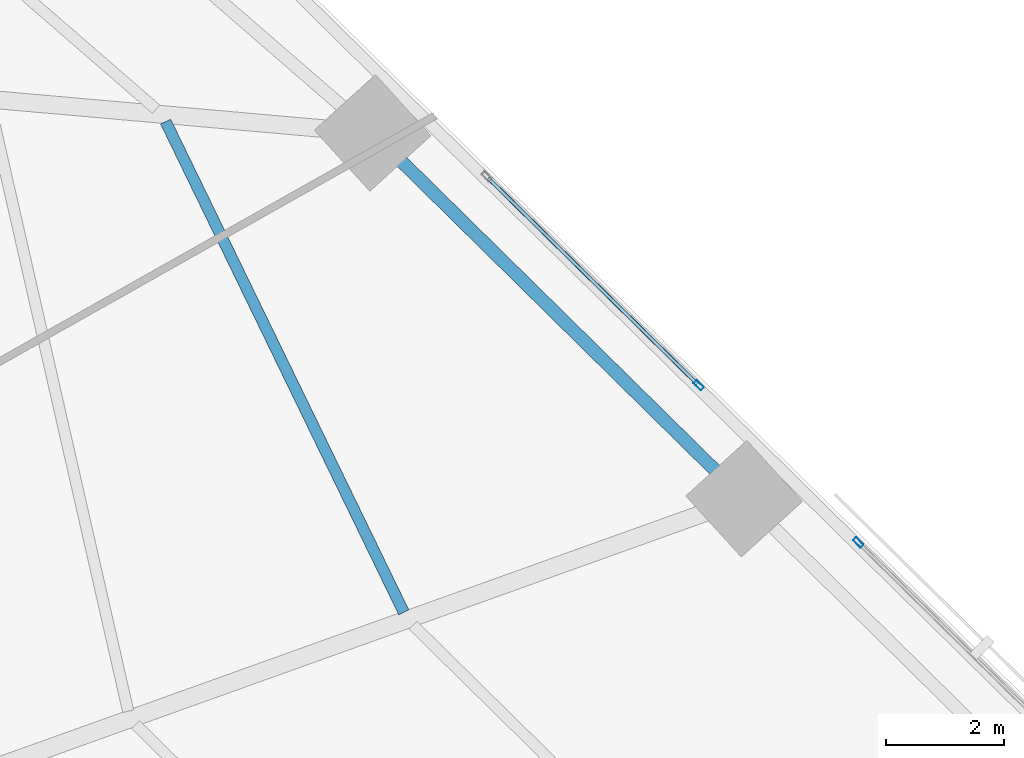
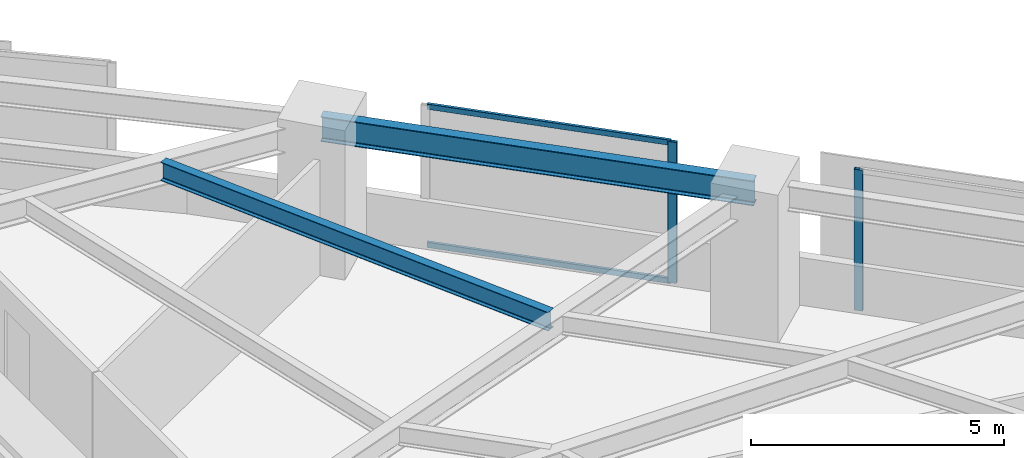
# One storey, part 6 of 17: 4 members, 2 beams, 2 elements without a shape of their own.
"""IFC4 building model written with IfcOpenShell, lengths in metres."""

import ifcopenshell
import ifcopenshell.guid

model = None  # the IFC model being written
_history = None  # IfcOwnerHistory: only IFC2X3 demands one
_inside = {}  # id of a spatial element -> (the spatial element, [elements in it])
_under = {}  # id of a project, library or spatial element -> (it, [spatial elements below it])
_declared = {}  # id of a project -> (the project, [libraries it declares])
_typed = {}  # id of a type object -> (the type object, [elements of that type])
_made_of = {}  # id of a material, layer set ... -> (it, [elements and type objects made of it])


def new_model(schema):
    """Start an empty IFC model of exactly this schema.

    Asked for "IFC4X3", IfcOpenShell would pick the latest addendum, in which some entities
    have other attributes; the version numbers below select the first issue.
    IFC2X3 requires an IfcOwnerHistory on every rooted entity: one is made here for all.
    """
    global model, _history
    if schema == "IFC4X3":
        model = ifcopenshell.file(schema_version=(4, 3, 0, 0))
    else:
        model = ifcopenshell.file(schema=schema)
    _inside.clear()
    _under.clear()
    _declared.clear()
    _typed.clear()
    _made_of.clear()
    _history = None
    if model.schema == "IFC2X3":
        org = make("IfcOrganization", Name="unknown")
        user = make(
            "IfcPersonAndOrganization",
            ThePerson=make("IfcPerson", FamilyName="unknown"),
            TheOrganization=org,
        )
        app = make(
            "IfcApplication",
            ApplicationDeveloper=org,
            Version="unknown",
            ApplicationFullName="unknown",
            ApplicationIdentifier="unknown",
        )
        _history = make(
            "IfcOwnerHistory",
            OwningUser=user,
            OwningApplication=app,
            ChangeAction="ADDED",
            CreationDate=0,
        )
    return model


def make(cls, **values):
    """One entity of the class cls with the attributes given. An attribute that is None is left unset."""
    return model.create_entity(
        cls, **{name: value for name, value in values.items() if value is not None}
    )


def rooted(cls, **values):
    """An entity with a GlobalId (a new one), such as an element, a storey or a relation."""
    return make(cls, GlobalId=ifcopenshell.guid.new(), OwnerHistory=_history, **values)


def si_unit(unit_type, name, prefix=None):
    """IfcSIUnit, for example si_unit("LENGTHUNIT", "METRE", prefix="MILLI")."""
    return make("IfcSIUnit", UnitType=unit_type, Prefix=prefix, Name=name)


def assignment(units):
    """IfcUnitAssignment: the units of a project."""
    return None if units is None else make("IfcUnitAssignment", Units=units)


def point(xyz):
    """IfcCartesianPoint."""
    return None if xyz is None else make("IfcCartesianPoint", Coordinates=xyz)


def direction(xyz):
    """IfcDirection."""
    return None if xyz is None else make("IfcDirection", DirectionRatios=xyz)


def frame(location, z_axis=None, x_axis=None):
    """IfcAxis2Placement3D, a coordinate frame: its origin and axes. An axis left out is left unset."""
    return make(
        "IfcAxis2Placement3D",
        Location=point(location),
        Axis=direction(z_axis),
        RefDirection=direction(x_axis),
    )


def frame_2d(location, x_axis=None):
    """IfcAxis2Placement2D, a coordinate frame in the plane: its origin and x axis."""
    return make(
        "IfcAxis2Placement2D", Location=point(location), RefDirection=direction(x_axis)
    )


def origin():
    """The frame at (0, 0, 0) with its axes left unset."""
    return frame((0.0, 0.0, 0.0))


def origin_2d():
    """The frame at (0, 0) in the plane with its x axis left unset."""
    return frame_2d((0.0, 0.0))


def place(relative_to, where):
    """IfcLocalPlacement: puts the frame where relative to a parent placement (None: the world)."""
    return make(
        "IfcLocalPlacement", PlacementRelTo=relative_to, RelativePlacement=where
    )


def context(
    kind, dimensions, precision=None, world=None, true_north=None, identifier=None
):
    """IfcGeometricRepresentationContext, for example the 3D "Model" context."""
    return make(
        "IfcGeometricRepresentationContext",
        ContextIdentifier=identifier,
        ContextType=kind,
        CoordinateSpaceDimension=dimensions,
        Precision=precision,
        WorldCoordinateSystem=world,
        TrueNorth=true_north,
    )


def subcontext(parent, identifier, kind, view, scale=None):
    """IfcGeometricRepresentationSubContext, for example "Body" below "Model"."""
    return make(
        "IfcGeometricRepresentationSubContext",
        ContextIdentifier=identifier,
        ContextType=kind,
        ParentContext=parent,
        TargetScale=scale,
        TargetView=view,
    )


def project(units=None, contexts=None):
    """IfcProject with its units and contexts."""
    return rooted(
        "IfcProject",
        Name="project",
        RepresentationContexts=contexts,
        UnitsInContext=assignment(units),
    )


def spatial(cls, under=None, at=None, **own):
    """A site, building, storey or space (cls), placed at a placement, below another one or the project."""
    s = rooted(cls, ObjectPlacement=at, **own)
    if under is not None:
        _under.setdefault(under.id(), (under, []))[1].append(s)
    return s


def profile(cls, at=None, kind="AREA", **sizes):
    """A parametric profile (cls). Its sizes go by their IFC names, for example OverallWidth=200.0."""
    return make(cls, ProfileType=kind, Position=at, **sizes)


def hollow_rectangle(**sizes):
    """IfcRectangleHollowProfileDef."""
    return profile("IfcRectangleHollowProfileDef", **sizes)


def i_section(**sizes):
    """IfcIShapeProfileDef."""
    return profile("IfcIShapeProfileDef", **sizes)


def extrude(swept, where, along, depth):
    """IfcExtrudedAreaSolid: the profile swept, set in the frame where, extruded along a direction by depth."""
    return make(
        "IfcExtrudedAreaSolid",
        SweptArea=swept,
        Position=where,
        ExtrudedDirection=direction(along),
        Depth=depth,
    )


def shape(context_of_items, identifier, shape_type, items):
    """IfcShapeRepresentation: the items that make up one representation, for example the "Body"."""
    return make(
        "IfcShapeRepresentation",
        ContextOfItems=context_of_items,
        RepresentationIdentifier=identifier,
        RepresentationType=shape_type,
        Items=items,
    )


def material(Name=None, Category=None):
    """IfcMaterial."""
    return make("IfcMaterial", Name=Name, Category=Category)


def material_profile(
    of_material, cross_section, Name=None, Category=None, Priority=None
):
    """IfcMaterialProfile: a cross section and its material."""
    return make(
        "IfcMaterialProfile",
        Name=Name,
        Material=of_material,
        Profile=cross_section,
        Priority=Priority,
        Category=Category,
    )


def profile_set(profiles, Name=None, composite=None):
    """IfcMaterialProfileSet."""
    return make(
        "IfcMaterialProfileSet",
        Name=Name,
        MaterialProfiles=profiles,
        CompositeProfile=composite,
    )


def made_of(thing, what):
    """Note that an element or type object is made of a material, layer set ...; save() writes the relation."""
    if what is not None:
        _made_of.setdefault(what.id(), (what, []))[1].append(thing)
    return thing


def type_object(cls, material=None, **own):
    """A type object (cls), such as IfcWallType, which elements share."""
    return made_of(rooted(cls, **own), material)


def element(
    cls,
    number,
    at=None,
    inside=None,
    cuts=None,
    type_object=None,
    material=None,
    context=None,
    identifier="Body",
    shape_type=None,
    held_by="IfcProductDefinitionShape",
    body=None,
    shapes=None,
    **own,
):
    """One element of the class cls, such as IfcWall. Its Tag is "e" and its number.

    at: its placement. inside: the storey or other place that contains it. cuts: it is an
    opening in that element (IfcRelVoidsElement). A single representation is given by context,
    identifier, shape_type and body (its items); several are given by shapes. held_by: the class
    of the entity that holds the representations. save() writes the other relations.
    """
    e = rooted(cls, Tag="e%d" % number, ObjectPlacement=at, **own)
    if body is not None:
        shapes = [shape(context, identifier, shape_type, body)]
    if shapes is not None:
        e.Representation = make(held_by, Representations=shapes)
    if inside is not None:
        _inside.setdefault(inside.id(), (inside, []))[1].append(e)
    if cuts is not None:
        rooted(
            "IfcRelVoidsElement", RelatingBuildingElement=cuts, RelatedOpeningElement=e
        )
    if type_object is not None:
        _typed.setdefault(type_object.id(), (type_object, []))[1].append(e)
    return made_of(e, material)


def aggregate(whole, parts):
    """IfcRelAggregates: a whole, such as a stair, and the parts it consists of."""
    return rooted("IfcRelAggregates", RelatingObject=whole, RelatedObjects=parts)


def save(model, path):
    """Write the relations noted so far, then the file.

    IfcRelAggregates (storeys below a building ...), IfcRelContainedInSpatialStructure (elements
    in a storey), IfcRelDefinesByType, IfcRelAssociatesMaterial and IfcRelDeclares: one each for
    every whole, place, type object, material and project.
    """
    for whole, parts in _under.values():
        aggregate(whole, parts)
    for where, things in _inside.values():
        rooted(
            "IfcRelContainedInSpatialStructure",
            RelatedElements=things,
            RelatingStructure=where,
        )
    for kind, things in _typed.values():
        rooted("IfcRelDefinesByType", RelatedObjects=things, RelatingType=kind)
    for what, things in _made_of.values():
        rooted("IfcRelAssociatesMaterial", RelatedObjects=things, RelatingMaterial=what)
    for by, libraries in _declared.values():
        rooted("IfcRelDeclares", RelatingContext=by, RelatedDefinitions=libraries)
    model.write(path)


model = new_model("IFC4")

# Units and contexts
model_context = context("Model", 3, precision=1e-05, world=origin(), true_north=direction((0.0, 1.0)))
body_context = subcontext(model_context, "Body", "Model", "MODEL_VIEW")
ifc_project = project(units=[si_unit("LENGTHUNIT", "METRE"), si_unit("AREAUNIT", "SQUARE_METRE"), si_unit("VOLUMEUNIT", "CUBIC_METRE"), si_unit("PLANEANGLEUNIT", "RADIAN"), si_unit("MASSUNIT", "GRAM", prefix="KILO")], contexts=[model_context])

# Site, building, storey
site_placement = place(None, origin())
site = spatial("IfcSite", under=ifc_project, at=site_placement, CompositionType="ELEMENT")
building_placement = place(site_placement, origin())
building = spatial("IfcBuilding", under=site, at=building_placement, Name="Narakoshi Arena Tower", CompositionType="ELEMENT")
storey_placement = place(building_placement, frame((0.0, 0.0, 37.5)))
storey = spatial("IfcBuildingStorey", under=building, at=storey_placement, Name="L09", CompositionType="ELEMENT", Elevation=37.5)

# Beams
ifc_material_1 = material(Name="Structural steel S355J2", Category="steel")
ifc_material_profile_1 = material_profile(ifc_material_1, i_section(OverallWidth=0.219970703125, OverallDepth=0.60009765625, WebThickness=0.011962890625, FlangeThickness=0.01904296875, FilletRadius=0.02392578125, at=origin_2d()), Name="IPE600")
ifc_profile_set_1 = profile_set([ifc_material_profile_1], Name="Structural steel S355J2")
beam_type_1 = type_object("IfcBeamType", Name="BM-EDGE-600", PredefinedType="BEAM", material=ifc_profile_set_1)
beam_1_placement = place(storey_placement, frame((102.345458984375, 49.373779296875, 3.10009765625), z_axis=(-0.712540689328, 0.70163079041, 0.0), x_axis=(-0.70163079041, -0.712540689328, 0.0)))
element("IfcBeam", 1, at=beam_1_placement, inside=storey, type_object=beam_type_1, Name="L09 Perimeter Edge Girder 07", PredefinedType="BEAM", context=body_context, shape_type="SweptSolid", body=[
    extrude(i_section(OverallWidth=0.219970703125, OverallDepth=0.60009765625, WebThickness=0.011962890625, FlangeThickness=0.01904296875, FilletRadius=0.02392578125, at=origin_2d()), origin(), (0.0, 0.0, 1.0), 8.83935546875),
])
ifc_material_profile_2 = material_profile(ifc_material_1, i_section(OverallWidth=0.18994140625, OverallDepth=0.449951171875, WebThickness=0.009521484375, FlangeThickness=0.0146484375, FilletRadius=0.02099609375, at=origin_2d()), Name="IPE450")
ifc_profile_set_2 = profile_set([ifc_material_profile_2], Name="Structural steel S355J2")
beam_type_2 = type_object("IfcBeamType", Name="BM-SEC-450", PredefinedType="JOIST", material=ifc_profile_set_2)
beam_2_placement = place(storey_placement, frame((96.575927734375, 47.447265625, 3.175048828125), z_axis=(-0.436645839052, 0.89963348717, 0.0), x_axis=(-0.89963348717, -0.436645839052, 0.0)))
element("IfcBeam", 2, at=beam_2_placement, inside=storey, type_object=beam_type_2, Name="L09 Composite Secondary Floor Joist 08", PredefinedType="JOIST", context=body_context, shape_type="SweptSolid", body=[
    extrude(i_section(OverallWidth=0.18994140625, OverallDepth=0.449951171875, WebThickness=0.009521484375, FlangeThickness=0.0146484375, FilletRadius=0.02099609375, at=origin_2d()), origin(), (0.0, 0.0, 1.0), 9.249755859375),
])

# Curtain wall, member
ifc_material_2 = material(Name="Anodised bronze aluminium 6063-T6", Category="aluminium")
curtain_wall_type = type_object("IfcCurtainWallType", Name="CW-HYP-LOW", PredefinedType="NOTDEFINED", material=ifc_material_2)
curtain_wall_1_placement = place(storey_placement, origin())
curtain_wall_1 = element("IfcCurtainWall", 3, at=curtain_wall_1_placement, inside=storey, type_object=curtain_wall_type, Name="L09 Folded Hypotenuse Curtain Wall 1-3", PredefinedType="NOTDEFINED")
ifc_material_profile_3 = material_profile(ifc_material_2, hollow_rectangle(XDim=0.074951171875, YDim=0.179931640625, WallThickness=0.00390625, OuterFilletRadius=0.0048828125, at=origin_2d()), Name="MUL180x75x4")
ifc_profile_set_3 = profile_set([ifc_material_profile_3], Name="Anodised bronze aluminium 6063-T6")
member_type_1 = type_object("IfcMemberType", Name="MEM-MUL-180", PredefinedType="MULLION", material=ifc_profile_set_3)
member_1_placement = place(storey_placement, frame((104.280517578125, 48.63330078125, 0.0), z_axis=(0.0, 0.0, 1.0), x_axis=(-0.701632802488, -0.712538708053, 0.0)))
member_1 = element("IfcMember", 4, at=member_1_placement, type_object=member_type_1, Name="CW-01 mullion 2", PredefinedType="MULLION", context=body_context, shape_type="SweptSolid", body=[
    extrude(hollow_rectangle(XDim=0.074951171875, YDim=0.179931640625, WallThickness=0.00390625, OuterFilletRadius=0.0048828125, at=origin_2d()), origin(), (0.0, 0.0, 1.0), 3.39990234375),
])
aggregate(curtain_wall_1, [member_1])

# Curtain wall, members
curtain_wall_2_placement = place(storey_placement, origin())
curtain_wall_2 = element("IfcCurtainWall", 5, at=curtain_wall_2_placement, inside=storey, type_object=curtain_wall_type, Name="L09 Folded Hypotenuse Curtain Wall 1-4", PredefinedType="NOTDEFINED")
member_2_placement = place(storey_placement, frame((101.574462890625, 51.2978515625, 0.0), z_axis=(0.0, 0.0, 1.0), x_axis=(-0.701632802488, -0.712538708053, 0.0)))
member_2 = element("IfcMember", 6, at=member_2_placement, type_object=member_type_1, Name="CW-01 mullion 1", PredefinedType="MULLION", context=body_context, shape_type="SweptSolid", body=[
    extrude(hollow_rectangle(XDim=0.074951171875, YDim=0.179931640625, WallThickness=0.00390625, OuterFilletRadius=0.0048828125, at=origin_2d()), origin(), (0.0, 0.0, 1.0), 3.39990234375),
])
ifc_material_profile_4 = material_profile(ifc_material_2, hollow_rectangle(XDim=0.06494140625, YDim=0.1298828125, WallThickness=0.00390625, OuterFilletRadius=0.0048828125, at=origin_2d()), Name="TRN130x65x4")
ifc_profile_set_4 = profile_set([ifc_material_profile_4], Name="Anodised bronze aluminium 6063-T6")
member_type_2 = type_object("IfcMemberType", Name="MEM-TRN-130", PredefinedType="USERDEFINED", material=ifc_profile_set_4)
member_3_placement = place(storey_placement, frame((101.547607421875, 51.32421875, 0.032470703125), z_axis=(-0.712542243067, 0.701629212508, 0.0), x_axis=(-0.701629212508, -0.712542243067, 0.0)))
member_3 = element("IfcMember", 7, at=member_3_placement, type_object=member_type_2, Name="CW-01 transom 1.1", ObjectType="TRANSOM", PredefinedType="USERDEFINED", context=body_context, shape_type="SweptSolid", body=[
    extrude(hollow_rectangle(XDim=0.06494140625, YDim=0.1298828125, WallThickness=0.00390625, OuterFilletRadius=0.0048828125, at=origin_2d()), origin(), (0.0, 0.0, 1.0), 4.966552734375),
])
member_4_placement = place(storey_placement, frame((101.547607421875, 51.32421875, 3.367431640625), z_axis=(-0.712542243067, 0.701629212508, 0.0), x_axis=(-0.701629212508, -0.712542243067, 0.0)))
member_4 = element("IfcMember", 8, at=member_4_placement, type_object=member_type_2, Name="CW-01 transom 1.2", ObjectType="TRANSOM", PredefinedType="USERDEFINED", context=body_context, shape_type="SweptSolid", body=[
    extrude(hollow_rectangle(XDim=0.06494140625, YDim=0.1298828125, WallThickness=0.00390625, OuterFilletRadius=0.0048828125, at=origin_2d()), origin(), (0.0, 0.0, 1.0), 4.966552734375),
])
aggregate(curtain_wall_2, [member_2, member_3, member_4])

save(model, "model.ifc")
